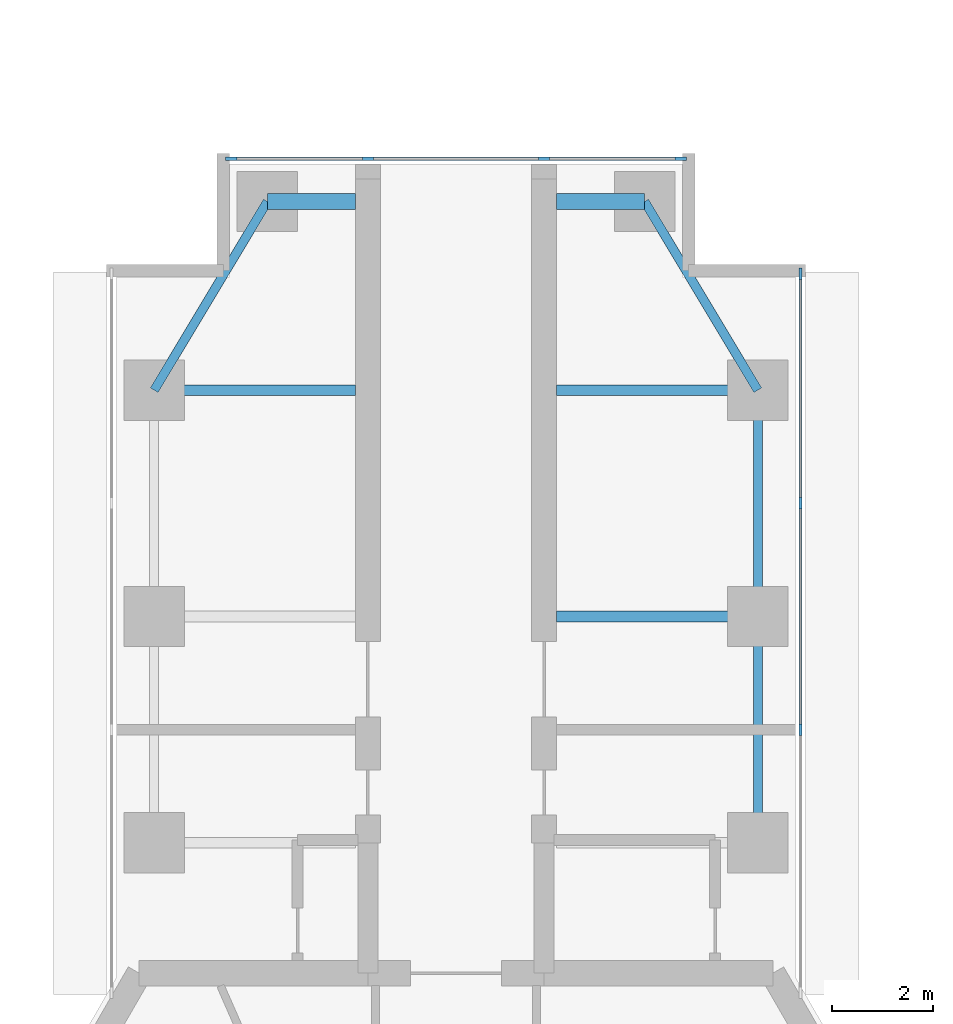
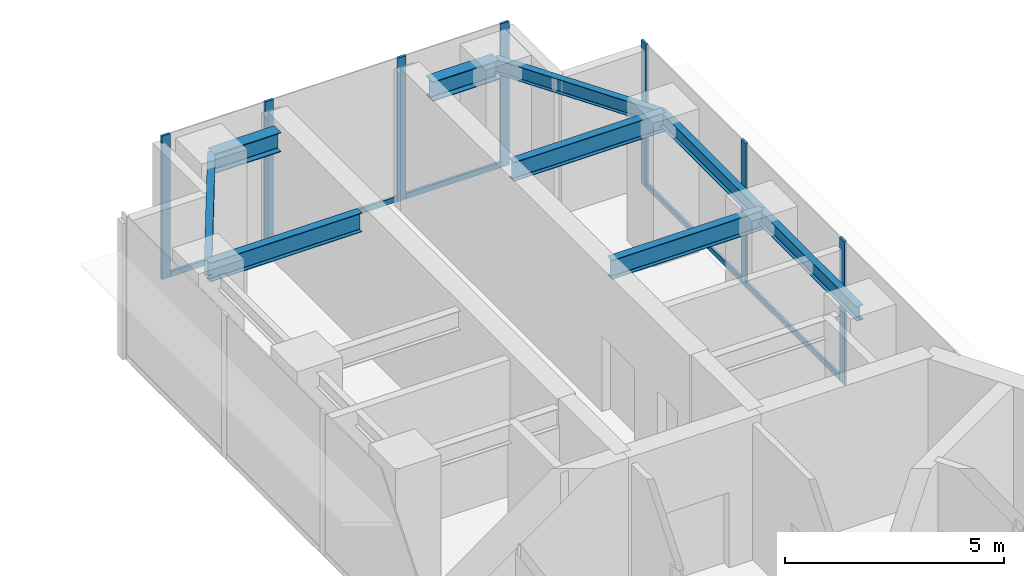
# One storey, part 9 of 17: 12 members, 9 beams, 2 elements without a shape of their own.
"""IFC4 building model written with IfcOpenShell, lengths in metres."""

from ifc_helpers import new_model, si_unit, direction, frame, origin, origin_2d, place, context, subcontext, project, spatial, rectangle, i_section, extrude, material, material_profile, profile_set, type_object, element, aggregate, save


model = new_model("IFC4")

# Units and contexts
model_context = context("Model", 3, precision=1e-05, world=origin(), true_north=direction((0.0, 1.0)))
body_context = subcontext(model_context, "Body", "Model", "MODEL_VIEW")
ifc_project = project(units=[si_unit("LENGTHUNIT", "METRE"), si_unit("AREAUNIT", "SQUARE_METRE"), si_unit("VOLUMEUNIT", "CUBIC_METRE"), si_unit("PLANEANGLEUNIT", "RADIAN"), si_unit("MASSUNIT", "GRAM", prefix="KILO")], contexts=[model_context])

# Site, building, storey
site_placement = place(None, origin())
site = spatial("IfcSite", under=ifc_project, at=site_placement, CompositionType="ELEMENT")
building_placement = place(site_placement, origin())
building = spatial("IfcBuilding", under=site, at=building_placement, Name="Upepo Twin Towers", CompositionType="ELEMENT")
storey_placement = place(building_placement, frame((0.0, 0.0, 174.5)))
storey = spatial("IfcBuildingStorey", under=building, at=storey_placement, Name="L42", CompositionType="ELEMENT", Elevation=174.5)

# Beams
ifc_material_1 = material(Name="Steel S355", Category="steel")
ifc_material_profile_1 = material_profile(ifc_material_1, i_section(OverallWidth=0.177978515625, OverallDepth=0.406494140625, WebThickness=0.0078125, FlangeThickness=0.0126953125, FilletRadius=0.01025390625, at=origin_2d()), Name="UB 406x178x60")
ifc_profile_set_1 = profile_set([ifc_material_profile_1], Name="Steel S355")
beam_type_1 = type_object("IfcBeamType", Name="Beam UB 406x178x60", PredefinedType="BEAM", material=ifc_profile_set_1)
beam_1_placement = place(storey_placement, frame((52.5, 4.5, 3.5966796875), z_axis=(0.514495755428, 0.857492925713, 0.0), x_axis=(-0.857492925713, 0.514495755428, 0.0)))
element("IfcBeam", 1, at=beam_1_placement, inside=storey, type_object=beam_type_1, Name="T2 nose edge beam AL", PredefinedType="BEAM", context=body_context, shape_type="SweptSolid", body=[
    extrude(i_section(OverallWidth=0.177978515625, OverallDepth=0.406494140625, WebThickness=0.0078125, FlangeThickness=0.0126953125, FilletRadius=0.01025390625, at=origin_2d()), origin(), (0.0, 0.0, 1.0), 4.373291015625),
])
for number, where, z_axis, x_axis, name in (
    (2, (64.5, -4.5, 3.5966796875), (0.0, 1.0, 0.0), (-1.0, 0.0, 0.0), "T2 edge beam AR 13.5-18.0"),
    (3, (64.5, 0.0, 3.5966796875), (0.0, 1.0, 0.0), (-1.0, 0.0, 0.0), "T2 edge beam AR 18.0-22.5"),
):
    element("IfcBeam", number, at=place(storey_placement, frame(where, z_axis=z_axis, x_axis=x_axis)), inside=storey, type_object=beam_type_1, Name=name, PredefinedType="BEAM", context=body_context, shape_type="SweptSolid", body=[
        extrude(i_section(OverallWidth=0.177978515625, OverallDepth=0.406494140625, WebThickness=0.0078125, FlangeThickness=0.0126953125, FilletRadius=0.01025390625, at=origin_2d()), origin(), (0.0, 0.0, 1.0), 4.5),
    ])
beam_2_placement = place(storey_placement, frame((64.5, 4.5, 3.5966796875), z_axis=(-0.514495755428, 0.857492925713, 0.0), x_axis=(-0.857492925713, -0.514495755428, 0.0)))
element("IfcBeam", 4, at=beam_2_placement, inside=storey, type_object=beam_type_1, Name="T2 nose edge beam AR", PredefinedType="BEAM", context=body_context, shape_type="SweptSolid", body=[
    extrude(i_section(OverallWidth=0.177978515625, OverallDepth=0.406494140625, WebThickness=0.0078125, FlangeThickness=0.0126953125, FilletRadius=0.01025390625, at=origin_2d()), origin(), (0.0, 0.0, 1.0), 4.373291015625),
])
ifc_material_2 = material(Name="Steel S355", Category="steel")
ifc_material_profile_2 = material_profile(ifc_material_2, i_section(OverallWidth=0.209228515625, OverallDepth=0.533203125, WebThickness=0.010009765625, FlangeThickness=0.015625, FilletRadius=0.0126953125, at=origin_2d()), Name="UB 533x210x92")
ifc_profile_set_2 = profile_set([ifc_material_profile_2], Name="Steel S355")
beam_type_2 = type_object("IfcBeamType", Name="Beam UB 533x210x92", PredefinedType="BEAM", material=ifc_profile_set_2)
for number, where, z_axis, x_axis, name in (
    (5, (52.5, 4.5, 3.533447265625), (1.0, 0.0, 0.0), (0.0, 1.0, 0.0), "T2 girder AL at 22.5"),
    (6, (64.5, 0.0, 3.533447265625), (-1.0, 0.0, 0.0), (0.0, -1.0, 0.0), "T2 girder AR at 18.0"),
    (7, (64.5, 4.5, 3.533447265625), (-1.0, 0.0, 0.0), (0.0, -1.0, 0.0), "T2 girder AR at 22.5"),
):
    element("IfcBeam", number, at=place(storey_placement, frame(where, z_axis=z_axis, x_axis=x_axis)), inside=storey, type_object=beam_type_2, Name=name, PredefinedType="BEAM", context=body_context, shape_type="SweptSolid", body=[
        extrude(i_section(OverallWidth=0.209228515625, OverallDepth=0.533203125, WebThickness=0.010009765625, FlangeThickness=0.015625, FilletRadius=0.0126953125, at=origin_2d()), origin(), (0.0, 0.0, 1.0), 4.0),
    ])
ifc_material_3 = material(Name="Steel S355", Category="steel")
ifc_material_profile_3 = material_profile(ifc_material_3, i_section(OverallWidth=0.31201171875, OverallDepth=0.54345703125, WebThickness=0.0126953125, FlangeThickness=0.020263671875, FilletRadius=0.0126953125, at=origin_2d()), Name="UB 533x312x150")
ifc_profile_set_3 = profile_set([ifc_material_profile_3], Name="Steel S355")
beam_type_3 = type_object("IfcBeamType", Name="Beam UB 533x312x150", PredefinedType="BEAM", material=ifc_profile_set_3)
for number, where, z_axis, x_axis, name in (
    (8, (54.75, 8.25, 3.5283203125), (1.0, 0.0, 0.0), (0.0, 1.0, 0.0), "T2 nose beam AL"),
    (9, (62.25, 8.25, 3.5283203125), (-1.0, 0.0, 0.0), (0.0, -1.0, 0.0), "T2 nose beam AR"),
):
    element("IfcBeam", number, at=place(storey_placement, frame(where, z_axis=z_axis, x_axis=x_axis)), inside=storey, type_object=beam_type_3, Name=name, PredefinedType="BEAM", context=body_context, shape_type="SweptSolid", body=[
        extrude(i_section(OverallWidth=0.31201171875, OverallDepth=0.54345703125, WebThickness=0.0126953125, FlangeThickness=0.020263671875, FilletRadius=0.0126953125, at=origin_2d()), origin(), (0.0, 0.0, 1.0), 1.75),
    ])

# Curtain wall, members
ifc_material_4 = material(Name="Aluminium and fritted glass", Category="aluminium")
curtain_wall_type = type_object("IfcCurtainWallType", Name="Tower curtain wall TW3, fritted glass", PredefinedType="NOTDEFINED", material=ifc_material_4)
curtain_wall_1_placement = place(storey_placement, origin())
curtain_wall_1 = element("IfcCurtainWall", 10, at=curtain_wall_1_placement, inside=storey, type_object=curtain_wall_type, Name="T2 L42 wing A flank R curtain wall", PredefinedType="NOTDEFINED")
ifc_material_5 = material(Name="Aluminium mullion", Category="aluminium")
ifc_material_profile_4 = material_profile(ifc_material_5, rectangle(XDim=0.06494140625, YDim=0.22509765625, at=origin_2d()), Name="MULLION 65x225")
ifc_profile_set_4 = profile_set([ifc_material_profile_4], Name="Aluminium mullion")
member_type_1 = type_object("IfcMemberType", Name="Mullion 65x225 TW3", PredefinedType="MULLION", material=ifc_profile_set_4)
member_1_placement = place(storey_placement, frame((65.35009765625, 6.8173828125, 0.0), z_axis=(0.0, 0.0, 1.0), x_axis=(1.0, 0.0, 0.0)))
member_1 = element("IfcMember", 11, at=member_1_placement, type_object=member_type_1, Name="T2 L42 wing A flank R curtain wall mullion 1", PredefinedType="MULLION", context=body_context, shape_type="SweptSolid", body=[
    extrude(rectangle(XDim=0.06494140625, YDim=0.22509765625, at=origin_2d()), origin(), (0.0, 0.0, 1.0), 4.0),
])
member_2_placement = place(storey_placement, frame((65.35009765625, 2.25, 0.0), z_axis=(0.0, 0.0, 1.0), x_axis=(1.0, 0.0, 0.0)))
member_2 = element("IfcMember", 12, at=member_2_placement, type_object=member_type_1, Name="T2 L42 wing A flank R curtain wall mullion 2", PredefinedType="MULLION", context=body_context, shape_type="SweptSolid", body=[
    extrude(rectangle(XDim=0.06494140625, YDim=0.22509765625, at=origin_2d()), origin(), (0.0, 0.0, 1.0), 4.0),
])
member_3_placement = place(storey_placement, frame((65.35009765625, -2.25, 0.0), z_axis=(0.0, 0.0, 1.0), x_axis=(1.0, 0.0, 0.0)))
member_3 = element("IfcMember", 13, at=member_3_placement, type_object=member_type_1, Name="T2 L42 wing A flank R curtain wall mullion 3", PredefinedType="MULLION", context=body_context, shape_type="SweptSolid", body=[
    extrude(rectangle(XDim=0.06494140625, YDim=0.22509765625, at=origin_2d()), origin(), (0.0, 0.0, 1.0), 4.0),
])

curtain_wall_2_placement = place(storey_placement, origin())
curtain_wall_2 = element("IfcCurtainWall", 14, at=curtain_wall_2_placement, inside=storey, type_object=curtain_wall_type, Name="T2 L42 wing A nose curtain wall", PredefinedType="NOTDEFINED")
member_4_placement = place(storey_placement, frame((62.967529296875, 9.10009765625, 0.0), z_axis=(0.0, 0.0, 1.0), x_axis=(0.0, -1.0, 0.0)))
member_4 = element("IfcMember", 15, at=member_4_placement, type_object=member_type_1, Name="T2 L42 wing A nose curtain wall mullion 1", PredefinedType="MULLION", context=body_context, shape_type="SweptSolid", body=[
    extrude(rectangle(XDim=0.06494140625, YDim=0.22509765625, at=origin_2d()), origin(), (0.0, 0.0, 1.0), 4.0),
])
member_5_placement = place(storey_placement, frame((60.25, 9.10009765625, 0.0), z_axis=(0.0, 0.0, 1.0), x_axis=(0.0, -1.0, 0.0)))
member_5 = element("IfcMember", 16, at=member_5_placement, type_object=member_type_1, Name="T2 L42 wing A nose curtain wall mullion 2", PredefinedType="MULLION", context=body_context, shape_type="SweptSolid", body=[
    extrude(rectangle(XDim=0.06494140625, YDim=0.22509765625, at=origin_2d()), origin(), (0.0, 0.0, 1.0), 4.0),
])
member_6_placement = place(storey_placement, frame((56.75, 9.10009765625, 0.0), z_axis=(0.0, 0.0, 1.0), x_axis=(0.0, -1.0, 0.0)))
member_6 = element("IfcMember", 17, at=member_6_placement, type_object=member_type_1, Name="T2 L42 wing A nose curtain wall mullion 3", PredefinedType="MULLION", context=body_context, shape_type="SweptSolid", body=[
    extrude(rectangle(XDim=0.06494140625, YDim=0.22509765625, at=origin_2d()), origin(), (0.0, 0.0, 1.0), 4.0),
])
member_7_placement = place(storey_placement, frame((54.032470703125, 9.10009765625, 0.0), z_axis=(0.0, 0.0, 1.0), x_axis=(0.0, -1.0, 0.0)))
member_7 = element("IfcMember", 18, at=member_7_placement, type_object=member_type_1, Name="T2 L42 wing A nose curtain wall mullion 4", PredefinedType="MULLION", context=body_context, shape_type="SweptSolid", body=[
    extrude(rectangle(XDim=0.06494140625, YDim=0.22509765625, at=origin_2d()), origin(), (0.0, 0.0, 1.0), 4.0),
])

# Member
ifc_material_6 = material(Name="Aluminium transom", Category="aluminium")
ifc_material_profile_5 = material_profile(ifc_material_6, rectangle(XDim=0.06494140625, YDim=0.14990234375, at=origin_2d()), Name="TRANSOM 65x150")
ifc_profile_set_5 = profile_set([ifc_material_profile_5], Name="Aluminium transom")
member_type_2 = type_object("IfcMemberType", Name="Transom 65x150 TW3", PredefinedType="USERDEFINED", material=ifc_profile_set_5)
member_8_placement = place(storey_placement, frame((65.35009765625, 6.784912109375, 0.074951171875), z_axis=(0.0, -1.0, 0.0), x_axis=(1.0, 0.0, 0.0)))
member_8 = element("IfcMember", 19, at=member_8_placement, type_object=member_type_2, Name="T2 L42 wing A flank R curtain wall transom 1", ObjectType="TRANSOM", PredefinedType="USERDEFINED", context=body_context, shape_type="SweptSolid", body=[
    extrude(rectangle(XDim=0.06494140625, YDim=0.14990234375, at=origin_2d()), origin(), (0.0, 0.0, 1.0), 4.50244140625),
])

member_9_placement = place(storey_placement, frame((65.35009765625, 2.217529296875, 0.074951171875), z_axis=(0.0, -1.0, 0.0), x_axis=(1.0, 0.0, 0.0)))
member_9 = element("IfcMember", 20, at=member_9_placement, type_object=member_type_2, Name="T2 L42 wing A flank R curtain wall transom 2", ObjectType="TRANSOM", PredefinedType="USERDEFINED", context=body_context, shape_type="SweptSolid", body=[
    extrude(rectangle(XDim=0.06494140625, YDim=0.14990234375, at=origin_2d()), origin(), (0.0, 0.0, 1.0), 4.43505859375),
])

aggregate(curtain_wall_1, [member_1, member_2, member_3, member_8, member_9])

member_10_placement = place(storey_placement, frame((62.93505859375, 9.10009765625, 0.074951171875), z_axis=(-1.0, 0.0, 0.0), x_axis=(0.0, -1.0, 0.0)))
member_10 = element("IfcMember", 21, at=member_10_placement, type_object=member_type_2, Name="T2 L42 wing A nose curtain wall transom 1", ObjectType="TRANSOM", PredefinedType="USERDEFINED", context=body_context, shape_type="SweptSolid", body=[
    extrude(rectangle(XDim=0.06494140625, YDim=0.14990234375, at=origin_2d()), origin(), (0.0, 0.0, 1.0), 2.652587890625),
])

member_11_placement = place(storey_placement, frame((60.217529296875, 9.10009765625, 0.074951171875), z_axis=(-1.0, 0.0, 0.0), x_axis=(0.0, -1.0, 0.0)))
member_11 = element("IfcMember", 22, at=member_11_placement, type_object=member_type_2, Name="T2 L42 wing A nose curtain wall transom 2", ObjectType="TRANSOM", PredefinedType="USERDEFINED", context=body_context, shape_type="SweptSolid", body=[
    extrude(rectangle(XDim=0.06494140625, YDim=0.14990234375, at=origin_2d()), origin(), (0.0, 0.0, 1.0), 3.43505859375),
])

member_12_placement = place(storey_placement, frame((56.717529296875, 9.10009765625, 0.074951171875), z_axis=(-1.0, 0.0, 0.0), x_axis=(0.0, -1.0, 0.0)))
member_12 = element("IfcMember", 23, at=member_12_placement, type_object=member_type_2, Name="T2 L42 wing A nose curtain wall transom 3", ObjectType="TRANSOM", PredefinedType="USERDEFINED", context=body_context, shape_type="SweptSolid", body=[
    extrude(rectangle(XDim=0.06494140625, YDim=0.14990234375, at=origin_2d()), origin(), (0.0, 0.0, 1.0), 2.652587890625),
])

aggregate(curtain_wall_2, [member_4, member_5, member_6, member_7, member_10, member_11, member_12])

save(model, "model.ifc")
